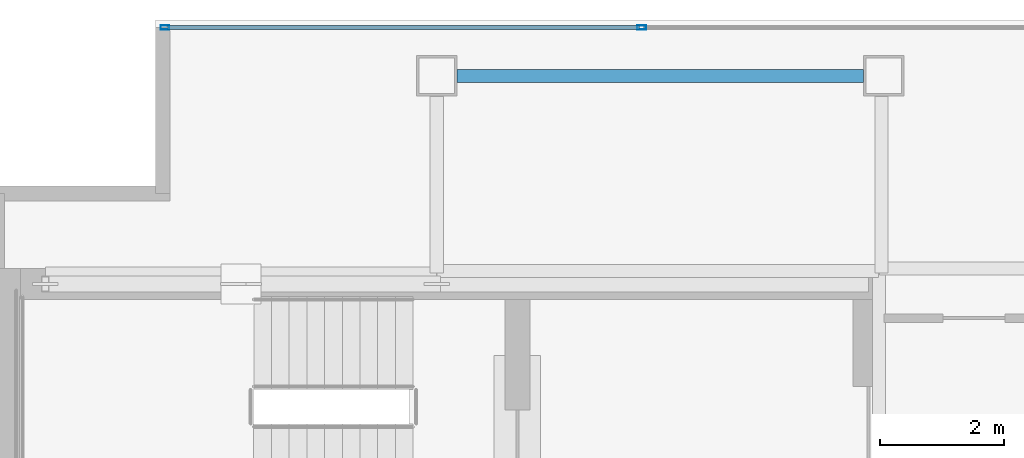
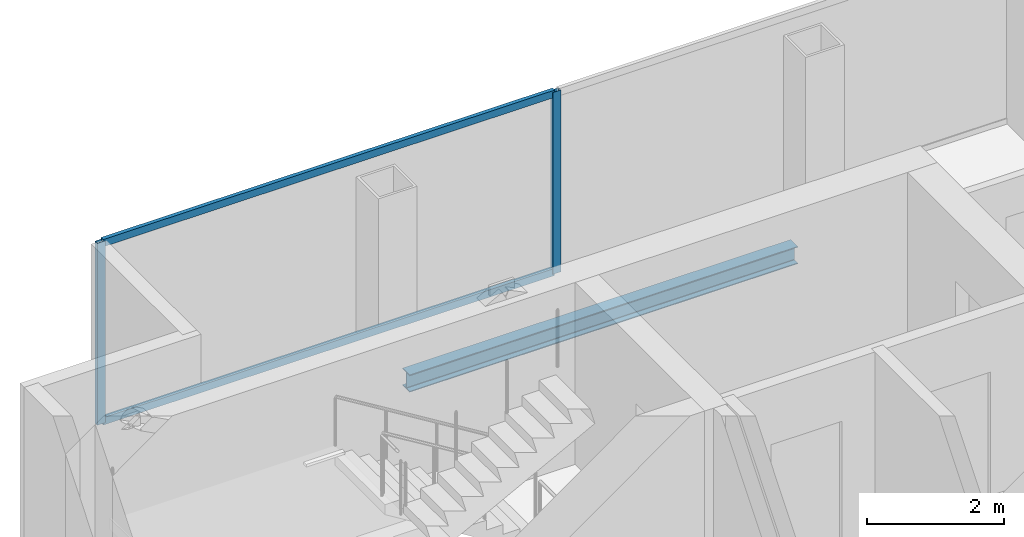
# One storey, part 17 of 23: 4 members, 1 beam, 1 element without a shape of its own.
"""IFC4 building model written with IfcOpenShell, lengths in metres."""

from ifc_helpers import new_model, si_unit, direction, frame, origin, origin_2d, place, context, subcontext, project, spatial, hollow_rectangle, i_section, extrude, material, material_profile, profile_set, type_object, element, aggregate, save


model = new_model("IFC4")

# Units and contexts
model_context = context("Model", 3, precision=1e-05, world=origin(), true_north=direction((0.0, 1.0)))
body_context = subcontext(model_context, "Body", "Model", "MODEL_VIEW")
ifc_project = project(units=[si_unit("LENGTHUNIT", "METRE"), si_unit("AREAUNIT", "SQUARE_METRE"), si_unit("VOLUMEUNIT", "CUBIC_METRE"), si_unit("PLANEANGLEUNIT", "RADIAN"), si_unit("MASSUNIT", "GRAM", prefix="KILO")], contexts=[model_context])

# Site, building, storey
site_placement = place(None, origin())
site = spatial("IfcSite", under=ifc_project, at=site_placement, CompositionType="ELEMENT")
building_placement = place(site_placement, origin())
building = spatial("IfcBuilding", under=site, at=building_placement, Name="Cobrela Telecom Tower", CompositionType="ELEMENT")
storey_placement = place(building_placement, frame((0.0, 0.0, 283.14990234375)))
storey = spatial("IfcBuildingStorey", under=building, at=storey_placement, Name="L74", CompositionType="ELEMENT", Elevation=283.14990234375)

# Beam
ifc_material_1 = material(Name="Steel ASTM A992 Grade 50", Category="steel")
ifc_material_profile_1 = material_profile(ifc_material_1, i_section(OverallWidth=0.205078125, OverallDepth=0.31005859375, WebThickness=0.009521484375, FlangeThickness=0.016357421875, FilletRadius=0.010986328125, at=origin_2d()), Name="W12X50")
ifc_profile_set_1 = profile_set([ifc_material_profile_1], Name="Steel ASTM A992 Grade 50")
beam_type = type_object("IfcBeamType", Name="BM-SPAND-07", PredefinedType="SPANDREL", material=ifc_profile_set_1)
beam_placement = place(storey_placement, frame((7.530029296875, 39.10009765625, -0.414794921875), z_axis=(1.0, 0.0, 0.0), x_axis=(0.0, 1.0, 0.0)))
element("IfcBeam", 1, at=beam_placement, inside=storey, type_object=beam_type, Name="L74 Perimeter Spandrel X19", PredefinedType="SPANDREL", context=body_context, shape_type="SweptSolid", body=[
    extrude(i_section(OverallWidth=0.205078125, OverallDepth=0.31005859375, WebThickness=0.009521484375, FlangeThickness=0.016357421875, FilletRadius=0.010986328125, at=origin_2d()), origin(), (0.0, 0.0, 1.0), 6.5400390625),
])

# Curtain wall, members
ifc_material_2 = material(Name="Anodized Bronze Aluminium 6063-T6", Category="aluminium")
curtain_wall_type = type_object("IfcCurtainWallType", Name="CW-SYS-OFF-HI", PredefinedType="USERDEFINED", material=ifc_material_2)
curtain_wall_placement = place(storey_placement, origin())
curtain_wall = element("IfcCurtainWall", 2, at=curtain_wall_placement, inside=storey, type_object=curtain_wall_type, Name="L74 Unitised Bronze Curtain Wall 05", ObjectType="UNITISED CURTAIN WALL", PredefinedType="USERDEFINED")
ifc_material_profile_2 = material_profile(ifc_material_2, hollow_rectangle(XDim=0.070068359375, YDim=0.139892578125, WallThickness=0.00390625, at=origin_2d()), Name="ALU 70x140x4")
ifc_profile_set_2 = profile_set([ifc_material_profile_2], Name="Anodized Bronze Aluminium 6063-T6")
member_type_1 = type_object("IfcMemberType", Name="CW-SYS-OFF-HI-MUL", PredefinedType="MULLION", material=ifc_profile_set_2)
member_1_placement = place(storey_placement, frame((2.824951171875, 39.8798828125, 0.0), z_axis=(0.0, 0.0, 1.0), x_axis=(0.0, 1.0, 0.0)))
member_1 = element("IfcMember", 3, at=member_1_placement, type_object=member_type_1, Name="CW-OFF-HI mullion 1", PredefinedType="MULLION", context=body_context, shape_type="SweptSolid", body=[
    extrude(hollow_rectangle(XDim=0.070068359375, YDim=0.139892578125, WallThickness=0.00390625, at=origin_2d()), origin(), (0.0, 0.0, 1.0), 3.239990234375),
])
member_2_placement = place(storey_placement, frame((10.5, 39.8798828125, 0.0), z_axis=(0.0, 0.0, 1.0), x_axis=(0.0, 1.0, 0.0)))
member_2 = element("IfcMember", 4, at=member_2_placement, type_object=member_type_1, Name="CW-OFF-HI mullion 2", PredefinedType="MULLION", context=body_context, shape_type="SweptSolid", body=[
    extrude(hollow_rectangle(XDim=0.070068359375, YDim=0.139892578125, WallThickness=0.00390625, at=origin_2d()), origin(), (0.0, 0.0, 1.0), 3.239990234375),
])
ifc_material_profile_3 = material_profile(ifc_material_2, hollow_rectangle(XDim=0.06494140625, YDim=0.1298828125, WallThickness=0.00390625, at=origin_2d()), Name="ALU 65x130x4")
ifc_profile_set_3 = profile_set([ifc_material_profile_3], Name="Anodized Bronze Aluminium 6063-T6")
member_type_2 = type_object("IfcMemberType", Name="CW-SYS-OFF-HI-TRN", PredefinedType="USERDEFINED", material=ifc_profile_set_3)
member_3_placement = place(storey_placement, frame((2.860107421875, 39.8798828125, 0.03271484375), z_axis=(1.0, 0.0, 0.0), x_axis=(0.0, 1.0, 0.0)))
member_3 = element("IfcMember", 5, at=member_3_placement, type_object=member_type_2, Name="CW-OFF-HI transom 1.1", ObjectType="TRANSOM", PredefinedType="USERDEFINED", context=body_context, shape_type="SweptSolid", body=[
    extrude(hollow_rectangle(XDim=0.06494140625, YDim=0.1298828125, WallThickness=0.00390625, at=origin_2d()), origin(), (0.0, 0.0, 1.0), 7.60498046875),
])
member_4_placement = place(storey_placement, frame((2.860107421875, 39.8798828125, 3.20751953125), z_axis=(1.0, 0.0, 0.0), x_axis=(0.0, 1.0, 0.0)))
member_4 = element("IfcMember", 6, at=member_4_placement, type_object=member_type_2, Name="CW-OFF-HI transom 1.2", ObjectType="TRANSOM", PredefinedType="USERDEFINED", context=body_context, shape_type="SweptSolid", body=[
    extrude(hollow_rectangle(XDim=0.06494140625, YDim=0.1298828125, WallThickness=0.00390625, at=origin_2d()), origin(), (0.0, 0.0, 1.0), 7.60498046875),
])
aggregate(curtain_wall, [member_1, member_2, member_3, member_4])

save(model, "model.ifc")
